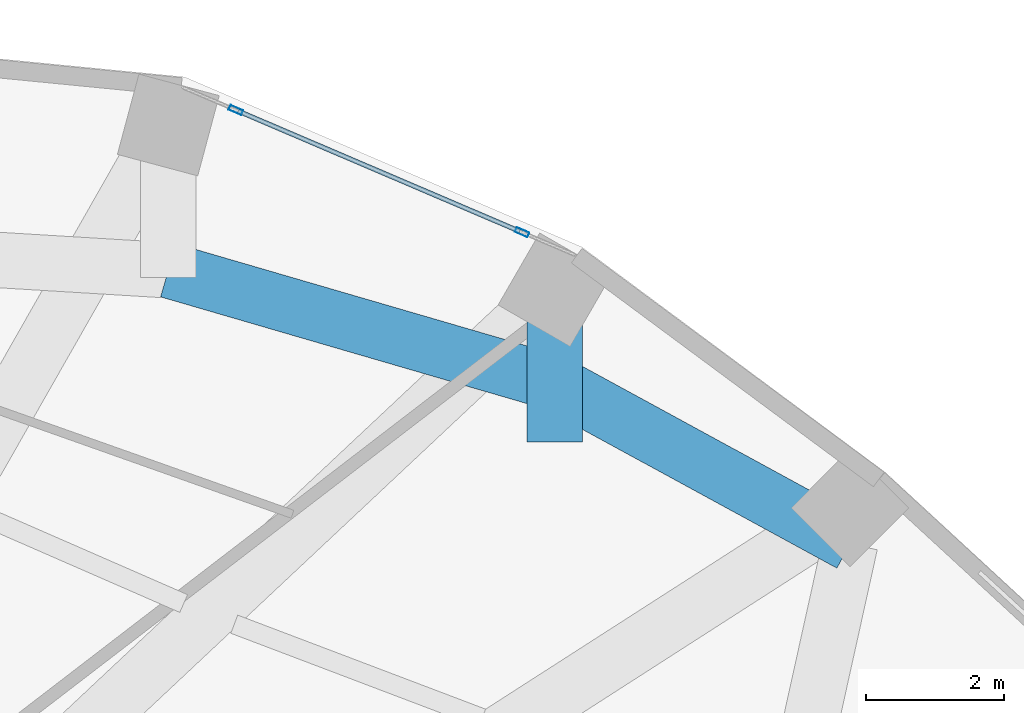
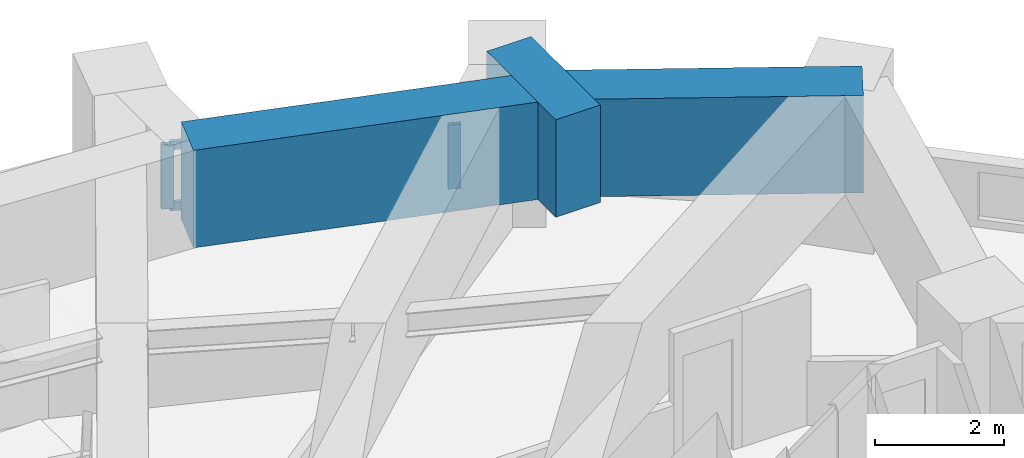
# One storey, part 12 of 22: 4 members, 3 beams, 1 element without a shape of its own.
"""IFC4 building model written with IfcOpenShell, lengths in metres."""

from ifc_helpers import new_model, si_unit, direction, frame, origin, origin_2d, place, context, subcontext, project, spatial, rectangle, hollow_rectangle, extrude, material, layer, layer_set, material_profile, profile_set, type_object, element, aggregate, save


model = new_model("IFC4")

# Units and contexts
model_context = context("Model", 3, precision=1e-05, world=origin(), true_north=direction((0.0, 1.0)))
body_context = subcontext(model_context, "Body", "Model", "MODEL_VIEW")
ifc_project = project(units=[si_unit("LENGTHUNIT", "METRE"), si_unit("AREAUNIT", "SQUARE_METRE"), si_unit("VOLUMEUNIT", "CUBIC_METRE"), si_unit("PLANEANGLEUNIT", "RADIAN"), si_unit("MASSUNIT", "GRAM", prefix="KILO")], contexts=[model_context])

# Site, building, storey
site_placement = place(None, origin())
site = spatial("IfcSite", under=ifc_project, at=site_placement, CompositionType="ELEMENT")
building_placement = place(site_placement, origin())
building = spatial("IfcBuilding", under=site, at=building_placement, Name="Solvane Sanctuary Tower", CompositionType="ELEMENT")
storey_placement = place(building_placement, frame((0.0, 0.0, 43.10009765625)))
storey = spatial("IfcBuildingStorey", under=building, at=storey_placement, Name="L12", CompositionType="ELEMENT", Elevation=43.10009765625)

# Beams
ifc_material_1 = material(Name="Concrete C70/85", Category="concrete")
ifc_material_profile_1 = material_profile(ifc_material_1, rectangle(XDim=0.800048828125, YDim=1.85009765625, at=origin_2d()), Name="RC800X1850")
ifc_profile_set_1 = profile_set([ifc_material_profile_1], Name="Concrete C70/85")
beam_type = type_object("IfcBeamType", Name="Beam B-XFER-BLK RC800X1850", PredefinedType="BEAM", material=ifc_profile_set_1)
beam_1_placement = place(storey_placement, frame((45.727294921875, 39.654052734375, 2.1748046875), z_axis=(0.0, -1.0, 0.0), x_axis=(1.0, 0.0, 0.0)))
element("IfcBeam", 1, at=beam_1_placement, inside=storey, type_object=beam_type, Name="L12 Block-Shift Transfer Tie 02B", PredefinedType="BEAM", context=body_context, shape_type="SweptSolid", body=[
    extrude(rectangle(XDim=0.800048828125, YDim=1.85009765625, at=origin_2d()), origin(), (0.0, 0.0, 1.0), 2.14990234375),
])
beam_2_placement = place(storey_placement, frame((40.14501953125, 39.985595703125, 2.1748046875), z_axis=(0.960089774527, -0.279692017849, 0.0), x_axis=(0.279692017849, 0.960089774527, 0.0)))
element("IfcBeam", 2, at=beam_2_placement, inside=storey, type_object=beam_type, Name="L12 Perimeter Step Transfer Ring NTC03-NTC02", PredefinedType="BEAM", context=body_context, shape_type="SweptSolid", body=[
    extrude(rectangle(XDim=0.800048828125, YDim=1.85009765625, at=origin_2d()), origin(), (0.0, 0.0, 1.0), 5.814208984375),
])
beam_3_placement = place(storey_placement, frame((45.727294921875, 38.359375, 2.1748046875), z_axis=(0.878074180076, -0.478524538853, 0.0), x_axis=(0.478524538853, 0.878074180076, 0.0)))
element("IfcBeam", 3, at=beam_3_placement, inside=storey, type_object=beam_type, Name="L12 Perimeter Step Transfer Ring NTC02-NTC01", PredefinedType="BEAM", context=body_context, shape_type="SweptSolid", body=[
    extrude(rectangle(XDim=0.800048828125, YDim=1.85009765625, at=origin_2d()), origin(), (0.0, 0.0, 1.0), 4.8564453125),
])

# Curtain wall, members
ifc_material_2 = material(Name="Anodised Aluminium 6063-T6", Category="aluminium")
ifc_layer = layer(ifc_material_2, 0.169921875, Name="Anodised Aluminium 6063-T6")
ifc_layer_set = layer_set([ifc_layer], Name="Anodised Aluminium 6063-T6")
curtain_wall_type = type_object("IfcCurtainWallType", Name="Curtain Wall CW-FRIT-Z1", PredefinedType="NOTDEFINED", material=ifc_layer_set)
curtain_wall_placement = place(storey_placement, origin())
curtain_wall = element("IfcCurtainWall", 4, at=curtain_wall_placement, inside=storey, type_object=curtain_wall_type, Name="L12 CW-FRIT-Z1 Facade Run 04", PredefinedType="NOTDEFINED")
ifc_material_profile_2 = material_profile(ifc_material_2, hollow_rectangle(XDim=0.074951171875, YDim=0.199951171875, WallThickness=0.00390625, at=origin_2d()), Name="ALU200X75X4")
ifc_profile_set_2 = profile_set([ifc_material_profile_2], Name="Anodised Aluminium 6063-T6")
member_type_1 = type_object("IfcMemberType", Name="Member M-CW-MUL-1 ALU200X75X4", PredefinedType="MULLION", material=ifc_profile_set_2)
member_1_placement = place(storey_placement, frame((45.25341796875, 40.533935546875, 0.0), z_axis=(0.0, 0.0, 1.0), x_axis=(-0.392820282466, -0.919615259597, 0.0)))
member_1 = element("IfcMember", 5, at=member_1_placement, type_object=member_type_1, Name="CW-FRIT-Z1 mullion 1", PredefinedType="MULLION", context=body_context, shape_type="SweptSolid", body=[
    extrude(hollow_rectangle(XDim=0.074951171875, YDim=0.199951171875, WallThickness=0.00390625, at=origin_2d()), origin(), (0.0, 0.0, 1.0), 1.219970703125),
])
member_2_placement = place(storey_placement, frame((41.120361328125, 42.29931640625, 0.0), z_axis=(0.0, 0.0, 1.0), x_axis=(-0.392820282466, -0.919615259597, 0.0)))
member_2 = element("IfcMember", 6, at=member_2_placement, type_object=member_type_1, Name="CW-FRIT-Z1 mullion 2", PredefinedType="MULLION", context=body_context, shape_type="SweptSolid", body=[
    extrude(hollow_rectangle(XDim=0.074951171875, YDim=0.199951171875, WallThickness=0.00390625, at=origin_2d()), origin(), (0.0, 0.0, 1.0), 1.219970703125),
])
ifc_material_profile_3 = material_profile(ifc_material_2, hollow_rectangle(XDim=0.06494140625, YDim=0.159912109375, WallThickness=0.00341796875, at=origin_2d()), Name="ALU160X65X3.5")
ifc_profile_set_3 = profile_set([ifc_material_profile_3], Name="Anodised Aluminium 6063-T6")
member_type_2 = type_object("IfcMemberType", Name="Member M-CW-TRN-1 ALU160X65X3.5", PredefinedType="USERDEFINED", material=ifc_profile_set_3)
member_3_placement = place(storey_placement, frame((45.218994140625, 40.548583984375, 0.032470703125), z_axis=(-0.919612983912, 0.392825609935, 0.0), x_axis=(-0.392825609935, -0.919612983912, 0.0)))
member_3 = element("IfcMember", 7, at=member_3_placement, type_object=member_type_2, Name="CW-FRIT-Z1 transom 1.1", ObjectType="TRANSOM", PredefinedType="USERDEFINED", context=body_context, shape_type="SweptSolid", body=[
    extrude(hollow_rectangle(XDim=0.06494140625, YDim=0.159912109375, WallThickness=0.00341796875, at=origin_2d()), origin(), (0.0, 0.0, 1.0), 4.41943359375),
])
member_4_placement = place(storey_placement, frame((45.218994140625, 40.548583984375, 1.1875), z_axis=(-0.919612983912, 0.392825609935, 0.0), x_axis=(-0.392825609935, -0.919612983912, 0.0)))
member_4 = element("IfcMember", 8, at=member_4_placement, type_object=member_type_2, Name="CW-FRIT-Z1 transom 1.2", ObjectType="TRANSOM", PredefinedType="USERDEFINED", context=body_context, shape_type="SweptSolid", body=[
    extrude(hollow_rectangle(XDim=0.06494140625, YDim=0.159912109375, WallThickness=0.00341796875, at=origin_2d()), origin(), (0.0, 0.0, 1.0), 4.41943359375),
])
aggregate(curtain_wall, [member_1, member_2, member_3, member_4])

save(model, "model.ifc")
